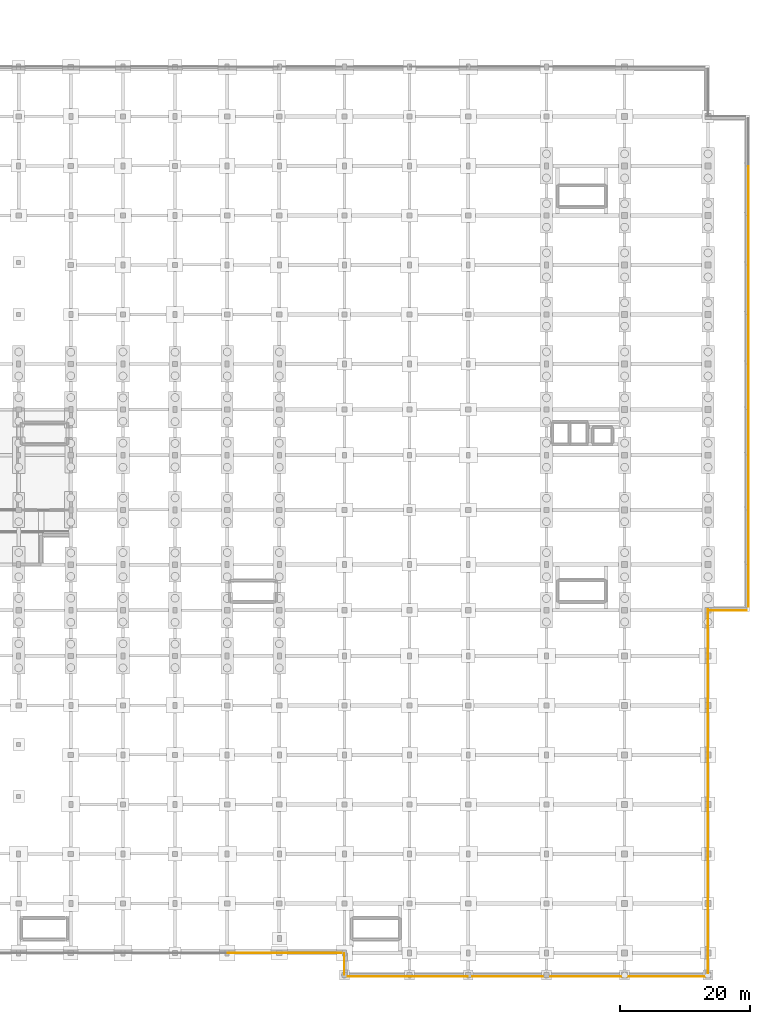
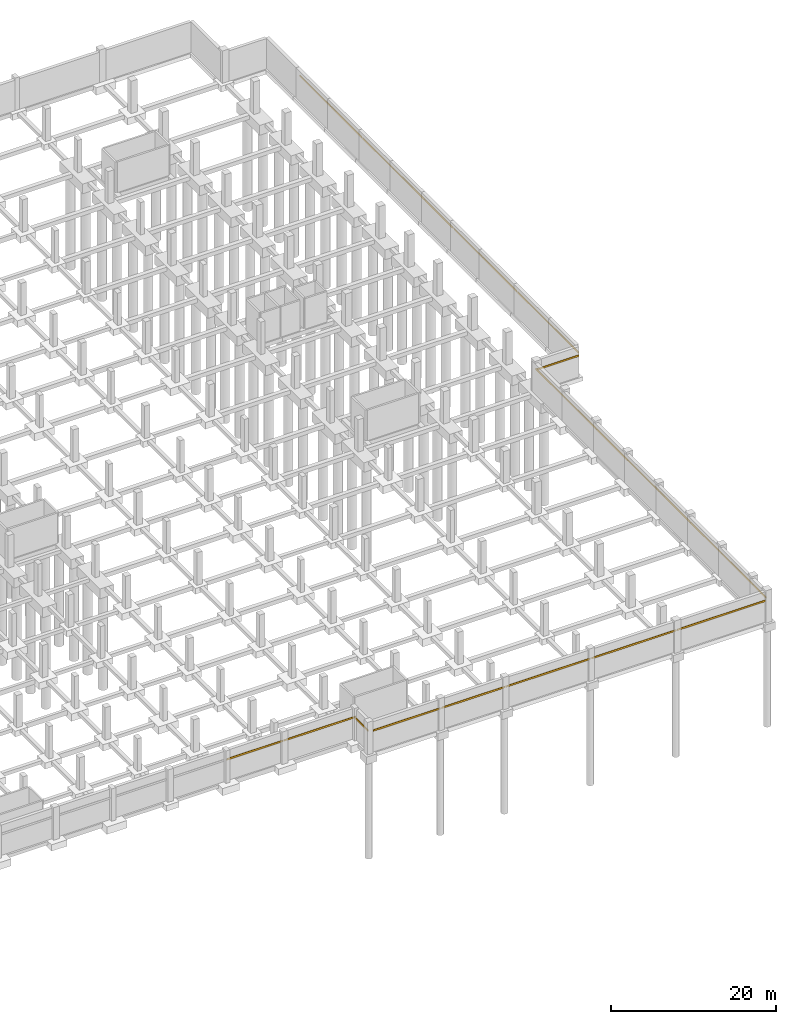
# One storey, part 48 of 50: 26 coverings.
"""IFC4 building model written with IfcOpenShell, lengths in metres."""

from ifc_helpers import new_model, si_unit, direction, frame, origin, origin_2d, place, context, subcontext, project, spatial, rectangle, extrude, material, layer, layer_set, type_object, element, save


model = new_model("IFC4")

# Units and contexts
model_context = context("Model", 3, precision=1e-05, world=origin(), true_north=direction((0.0, 1.0)))
body_context = subcontext(model_context, "Body", "Model", "MODEL_VIEW")
ifc_project = project(units=[si_unit("LENGTHUNIT", "METRE"), si_unit("AREAUNIT", "SQUARE_METRE"), si_unit("VOLUMEUNIT", "CUBIC_METRE"), si_unit("PLANEANGLEUNIT", "RADIAN"), si_unit("MASSUNIT", "GRAM", prefix="KILO")], contexts=[model_context])

# Site, building, storey
site_placement = place(None, origin())
site = spatial("IfcSite", under=ifc_project, at=site_placement, CompositionType="ELEMENT")
building_placement = place(site_placement, origin())
building = spatial("IfcBuilding", under=site, at=building_placement, Name="Vekula Escarpment Museum", CompositionType="ELEMENT")
storey_placement = place(building_placement, frame((0.0, 0.0, -4.800048828125)))
storey = spatial("IfcBuildingStorey", under=building, at=storey_placement, Name="B1", CompositionType="ELEMENT", Elevation=-4.800048828125)

# Coverings
ifc_material = material(Name="Polychrome limestone almasik string-course band", Category="masonry")
ifc_layer = layer(ifc_material, 0.06005859375)
ifc_layer_set = layer_set([ifc_layer], Name="Polychrome limestone almasik string-course band")
covering_type = type_object("IfcCoveringType", Name="COV-ALM-BAND", PredefinedType="CLADDING", material=ifc_layer_set)
covering_1_placement = place(storey_placement, frame((122.0, -0.02587890625, 3.06982421875), z_axis=(0.0, 0.0, 1.0), x_axis=(1.0, 0.0, 0.0)))
element("IfcCovering", 1, at=covering_1_placement, inside=storey, type_object=covering_type, Name="Plinth Almasik Stone Band 0710", PredefinedType="CLADDING", context=body_context, shape_type="SweptSolid", body=[
    extrude(rectangle(XDim=7.8798828125, YDim=0.06005859375, at=origin_2d()), origin(), (0.0, 0.0, 1.0), 0.260009765625),
])
covering_2_placement = place(storey_placement, frame((131.112548828125, -0.02587890625, 3.06982421875), z_axis=(0.0, 0.0, 1.0), x_axis=(1.0, 0.0, 0.0)))
element("IfcCovering", 2, at=covering_2_placement, inside=storey, type_object=covering_type, Name="Plinth Almasik Stone Band 0711", PredefinedType="CLADDING", context=body_context, shape_type="SweptSolid", body=[
    extrude(rectangle(XDim=10.10498046875, YDim=0.06005859375, at=origin_2d()), origin(), (0.0, 0.0, 1.0), 0.260009765625),
])
covering_3_placement = place(storey_placement, frame((135.97412109375, -1.689453125, 3.06982421875), z_axis=(0.0, 0.0, 1.0), x_axis=(0.0, 1.0, 0.0)))
element("IfcCovering", 3, at=covering_3_placement, inside=storey, type_object=covering_type, Name="Plinth Almasik Stone Band 0712", PredefinedType="CLADDING", context=body_context, shape_type="SweptSolid", body=[
    extrude(rectangle(XDim=3.2509765625, YDim=0.06005859375, at=origin_2d()), origin(), (0.0, 0.0, 1.0), 0.260009765625),
])
covering_4_placement = place(storey_placement, frame((141.22705078125, -3.6259765625, 3.06982421875), z_axis=(0.0, 0.0, 1.0), x_axis=(1.0, 0.0, 0.0)))
element("IfcCovering", 4, at=covering_4_placement, inside=storey, type_object=covering_type, Name="Plinth Almasik Stone Band 0713", PredefinedType="CLADDING", context=body_context, shape_type="SweptSolid", body=[
    extrude(rectangle(XDim=9.426025390625, YDim=0.06005859375, at=origin_2d()), origin(), (0.0, 0.0, 1.0), 0.260009765625),
])
covering_5_placement = place(storey_placement, frame((150.5, -3.6259765625, 3.06982421875), z_axis=(0.0, 0.0, 1.0), x_axis=(1.0, 0.0, 0.0)))
element("IfcCovering", 5, at=covering_5_placement, inside=storey, type_object=covering_type, Name="Plinth Almasik Stone Band 0714", PredefinedType="CLADDING", context=body_context, shape_type="SweptSolid", body=[
    extrude(rectangle(XDim=8.8798828125, YDim=0.06005859375, at=origin_2d()), origin(), (0.0, 0.0, 1.0), 0.260009765625),
])
for number, where, z_axis, x_axis, name in (
    (6, (161.0, -3.6259765625, 3.06982421875), (0.0, 0.0, 1.0), (1.0, 0.0, 0.0), "Plinth Almasik Stone Band 0715"),
    (7, (173.0, -3.6259765625, 3.06982421875), (0.0, 0.0, 1.0), (1.0, 0.0, 0.0), "Plinth Almasik Stone Band 0716"),
):
    element("IfcCovering", number, at=place(storey_placement, frame(where, z_axis=z_axis, x_axis=x_axis)), inside=storey, type_object=covering_type, Name=name, PredefinedType="CLADDING", context=body_context, shape_type="SweptSolid", body=[
        extrude(rectangle(XDim=11.8798828125, YDim=0.06005859375, at=origin_2d()), origin(), (0.0, 0.0, 1.0), 0.260009765625),
    ])
covering_6_placement = place(storey_placement, frame((185.28759765625, -3.6259765625, 3.06982421875), z_axis=(0.0, 0.0, 1.0), x_axis=(1.0, 0.0, 0.0)))
element("IfcCovering", 8, at=covering_6_placement, inside=storey, type_object=covering_type, Name="Plinth Almasik Stone Band 0717", PredefinedType="CLADDING", context=body_context, shape_type="SweptSolid", body=[
    extrude(rectangle(XDim=12.455078125, YDim=0.06005859375, at=origin_2d()), origin(), (0.0, 0.0, 1.0), 0.260009765625),
])
covering_7_placement = place(storey_placement, frame((191.825927734375, -1.572998046875, 3.06982421875), z_axis=(0.0, 0.0, 1.0), x_axis=(0.0, 1.0, 0.0)))
element("IfcCovering", 9, at=covering_7_placement, inside=storey, type_object=covering_type, Name="Plinth Almasik Stone Band 0718", PredefinedType="CLADDING", context=body_context, shape_type="SweptSolid", body=[
    extrude(rectangle(XDim=3.02587890625, YDim=0.06005859375, at=origin_2d()), origin(), (0.0, 0.0, 1.0), 0.260009765625),
])
for number, where, z_axis, x_axis, name in (
    (10, (191.825927734375, 3.800048828125, 3.06982421875), (0.0, 0.0, 1.0), (0.0, 1.0, 0.0), "Plinth Almasik Stone Band 0719"),
    (11, (191.825927734375, 11.39990234375, 3.06982421875), (0.0, 0.0, 1.0), (0.0, 1.0, 0.0), "Plinth Almasik Stone Band 0720"),
    (12, (191.825927734375, 19.0, 3.06982421875), (0.0, 0.0, 1.0), (0.0, 1.0, 0.0), "Plinth Almasik Stone Band 0721"),
    (13, (191.825927734375, 26.60009765625, 3.06982421875), (0.0, 0.0, 1.0), (0.0, 1.0, 0.0), "Plinth Almasik Stone Band 0722"),
    (14, (191.825927734375, 34.199951171875, 3.06982421875), (0.0, 0.0, 1.0), (0.0, 1.0, 0.0), "Plinth Almasik Stone Band 0723"),
    (15, (191.825927734375, 41.800048828125, 3.06982421875), (0.0, 0.0, 1.0), (0.0, 1.0, 0.0), "Plinth Almasik Stone Band 0724"),
):
    element("IfcCovering", number, at=place(storey_placement, frame(where, z_axis=z_axis, x_axis=x_axis)), inside=storey, type_object=covering_type, Name=name, PredefinedType="CLADDING", context=body_context, shape_type="SweptSolid", body=[
        extrude(rectangle(XDim=7.47998046875, YDim=0.06005859375, at=origin_2d()), origin(), (0.0, 0.0, 1.0), 0.260009765625),
    ])
covering_8_placement = place(storey_placement, frame((191.825927734375, 49.21240234375, 3.06982421875), z_axis=(0.0, 0.0, 1.0), x_axis=(0.0, 1.0, 0.0)))
element("IfcCovering", 16, at=covering_8_placement, inside=storey, type_object=covering_type, Name="Plinth Almasik Stone Band 0725", PredefinedType="CLADDING", context=body_context, shape_type="SweptSolid", body=[
    extrude(rectangle(XDim=7.10498046875, YDim=0.06005859375, at=origin_2d()), origin(), (0.0, 0.0, 1.0), 0.260009765625),
])
covering_9_placement = place(storey_placement, frame((194.78955078125, 52.573974609375, 3.06982421875), z_axis=(0.0, 0.0, 1.0), x_axis=(1.0, 0.0, 0.0)))
element("IfcCovering", 17, at=covering_9_placement, inside=storey, type_object=covering_type, Name="Plinth Almasik Stone Band 0726", PredefinedType="CLADDING", context=body_context, shape_type="SweptSolid", body=[
    extrude(rectangle(XDim=5.85107421875, YDim=0.06005859375, at=origin_2d()), origin(), (0.0, 0.0, 1.0), 0.260009765625),
])
covering_10_placement = place(storey_placement, frame((198.02587890625, 56.326904296875, 3.06982421875), z_axis=(0.0, 0.0, 1.0), x_axis=(0.0, 1.0, 0.0)))
element("IfcCovering", 18, at=covering_10_placement, inside=storey, type_object=covering_type, Name="Plinth Almasik Stone Band 0727", PredefinedType="CLADDING", context=body_context, shape_type="SweptSolid", body=[
    extrude(rectangle(XDim=6.426025390625, YDim=0.06005859375, at=origin_2d()), origin(), (0.0, 0.0, 1.0), 0.260009765625),
])
for number, where, z_axis, x_axis, name in (
    (19, (198.02587890625, 63.800048828125, 3.06982421875), (0.0, 0.0, 1.0), (0.0, 1.0, 0.0), "Plinth Almasik Stone Band 0728"),
    (20, (198.02587890625, 72.199951171875, 3.06982421875), (0.0, 0.0, 1.0), (0.0, 1.0, 0.0), "Plinth Almasik Stone Band 0729"),
):
    element("IfcCovering", number, at=place(storey_placement, frame(where, z_axis=z_axis, x_axis=x_axis)), inside=storey, type_object=covering_type, Name=name, PredefinedType="CLADDING", context=body_context, shape_type="SweptSolid", body=[
        extrude(rectangle(XDim=8.280029296875, YDim=0.06005859375, at=origin_2d()), origin(), (0.0, 0.0, 1.0), 0.260009765625),
    ])
for number, where, z_axis, x_axis, name in (
    (21, (198.02587890625, 79.89990234375, 3.06982421875), (0.0, 0.0, 1.0), (0.0, 1.0, 0.0), "Plinth Almasik Stone Band 0730"),
    (22, (198.02587890625, 86.89990234375, 3.06982421875), (0.0, 0.0, 1.0), (0.0, 1.0, 0.0), "Plinth Almasik Stone Band 0731"),
):
    element("IfcCovering", number, at=place(storey_placement, frame(where, z_axis=z_axis, x_axis=x_axis)), inside=storey, type_object=covering_type, Name=name, PredefinedType="CLADDING", context=body_context, shape_type="SweptSolid", body=[
        extrude(rectangle(XDim=6.8798828125, YDim=0.06005859375, at=origin_2d()), origin(), (0.0, 0.0, 1.0), 0.260009765625),
    ])
for number, where, z_axis, x_axis, name in (
    (23, (198.02587890625, 94.199951171875, 3.06982421875), (0.0, 0.0, 1.0), (0.0, 1.0, 0.0), "Plinth Almasik Stone Band 0732"),
    (24, (198.02587890625, 101.800048828125, 3.06982421875), (0.0, 0.0, 1.0), (0.0, 1.0, 0.0), "Plinth Almasik Stone Band 0733"),
    (25, (198.02587890625, 109.39990234375, 3.06982421875), (0.0, 0.0, 1.0), (0.0, 1.0, 0.0), "Plinth Almasik Stone Band 0734"),
    (26, (198.02587890625, 117.0, 3.06982421875), (0.0, 0.0, 1.0), (0.0, 1.0, 0.0), "Plinth Almasik Stone Band 0735"),
):
    element("IfcCovering", number, at=place(storey_placement, frame(where, z_axis=z_axis, x_axis=x_axis)), inside=storey, type_object=covering_type, Name=name, PredefinedType="CLADDING", context=body_context, shape_type="SweptSolid", body=[
        extrude(rectangle(XDim=7.47998046875, YDim=0.06005859375, at=origin_2d()), origin(), (0.0, 0.0, 1.0), 0.260009765625),
    ])

save(model, "model.ifc")
